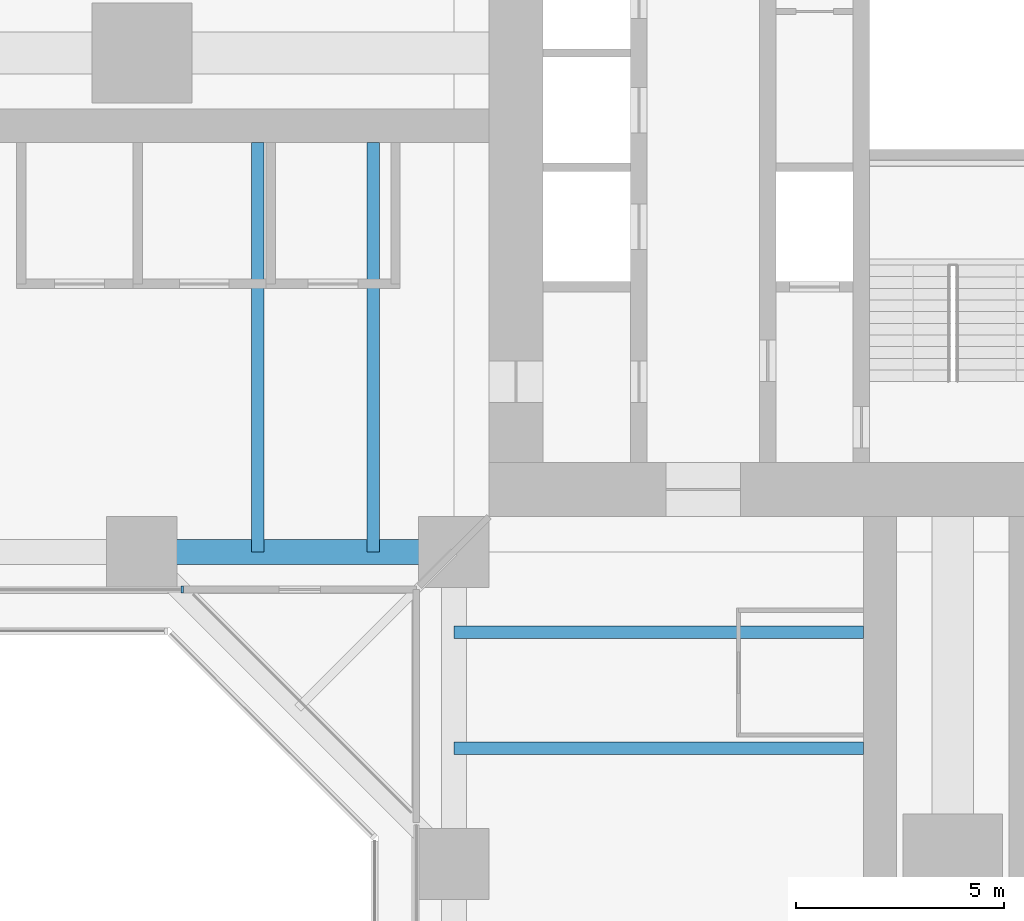
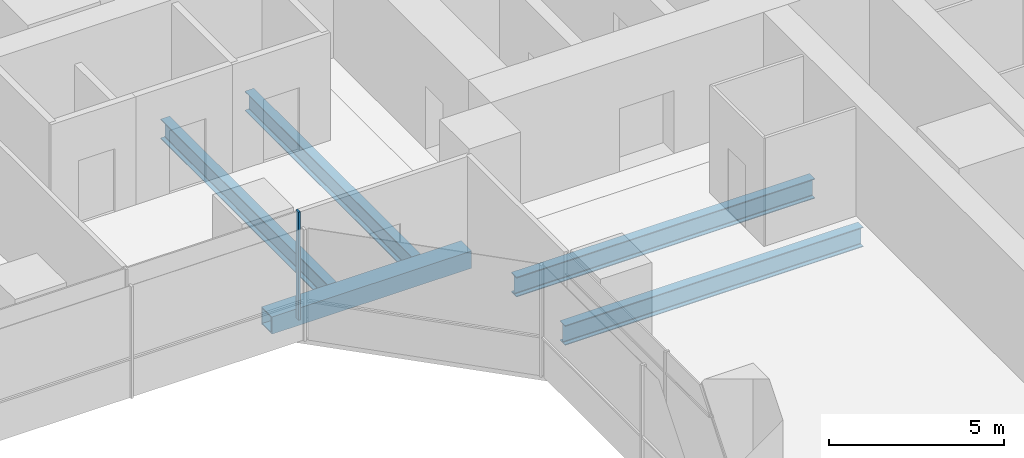
# One storey, part 4 of 22: 5 beams, 1 member, 1 element without a shape of its own.
"""IFC4 building model written with IfcOpenShell, lengths in metres."""

import ifcopenshell
import ifcopenshell.guid

model = None  # the IFC model being written
_history = None  # IfcOwnerHistory: only IFC2X3 demands one
_inside = {}  # id of a spatial element -> (the spatial element, [elements in it])
_under = {}  # id of a project, library or spatial element -> (it, [spatial elements below it])
_declared = {}  # id of a project -> (the project, [libraries it declares])
_typed = {}  # id of a type object -> (the type object, [elements of that type])
_made_of = {}  # id of a material, layer set ... -> (it, [elements and type objects made of it])


def new_model(schema):
    """Start an empty IFC model of exactly this schema.

    Asked for "IFC4X3", IfcOpenShell would pick the latest addendum, in which some entities
    have other attributes; the version numbers below select the first issue.
    IFC2X3 requires an IfcOwnerHistory on every rooted entity: one is made here for all.
    """
    global model, _history
    if schema == "IFC4X3":
        model = ifcopenshell.file(schema_version=(4, 3, 0, 0))
    else:
        model = ifcopenshell.file(schema=schema)
    _inside.clear()
    _under.clear()
    _declared.clear()
    _typed.clear()
    _made_of.clear()
    _history = None
    if model.schema == "IFC2X3":
        org = make("IfcOrganization", Name="unknown")
        user = make(
            "IfcPersonAndOrganization",
            ThePerson=make("IfcPerson", FamilyName="unknown"),
            TheOrganization=org,
        )
        app = make(
            "IfcApplication",
            ApplicationDeveloper=org,
            Version="unknown",
            ApplicationFullName="unknown",
            ApplicationIdentifier="unknown",
        )
        _history = make(
            "IfcOwnerHistory",
            OwningUser=user,
            OwningApplication=app,
            ChangeAction="ADDED",
            CreationDate=0,
        )
    return model


def make(cls, **values):
    """One entity of the class cls with the attributes given. An attribute that is None is left unset."""
    return model.create_entity(
        cls, **{name: value for name, value in values.items() if value is not None}
    )


def rooted(cls, **values):
    """An entity with a GlobalId (a new one), such as an element, a storey or a relation."""
    return make(cls, GlobalId=ifcopenshell.guid.new(), OwnerHistory=_history, **values)


def si_unit(unit_type, name, prefix=None):
    """IfcSIUnit, for example si_unit("LENGTHUNIT", "METRE", prefix="MILLI")."""
    return make("IfcSIUnit", UnitType=unit_type, Prefix=prefix, Name=name)


def assignment(units):
    """IfcUnitAssignment: the units of a project."""
    return None if units is None else make("IfcUnitAssignment", Units=units)


def point(xyz):
    """IfcCartesianPoint."""
    return None if xyz is None else make("IfcCartesianPoint", Coordinates=xyz)


def direction(xyz):
    """IfcDirection."""
    return None if xyz is None else make("IfcDirection", DirectionRatios=xyz)


def frame(location, z_axis=None, x_axis=None):
    """IfcAxis2Placement3D, a coordinate frame: its origin and axes. An axis left out is left unset."""
    return make(
        "IfcAxis2Placement3D",
        Location=point(location),
        Axis=direction(z_axis),
        RefDirection=direction(x_axis),
    )


def frame_2d(location, x_axis=None):
    """IfcAxis2Placement2D, a coordinate frame in the plane: its origin and x axis."""
    return make(
        "IfcAxis2Placement2D", Location=point(location), RefDirection=direction(x_axis)
    )


def origin():
    """The frame at (0, 0, 0) with its axes left unset."""
    return frame((0.0, 0.0, 0.0))


def origin_2d():
    """The frame at (0, 0) in the plane with its x axis left unset."""
    return frame_2d((0.0, 0.0))


def place(relative_to, where):
    """IfcLocalPlacement: puts the frame where relative to a parent placement (None: the world)."""
    return make(
        "IfcLocalPlacement", PlacementRelTo=relative_to, RelativePlacement=where
    )


def context(
    kind, dimensions, precision=None, world=None, true_north=None, identifier=None
):
    """IfcGeometricRepresentationContext, for example the 3D "Model" context."""
    return make(
        "IfcGeometricRepresentationContext",
        ContextIdentifier=identifier,
        ContextType=kind,
        CoordinateSpaceDimension=dimensions,
        Precision=precision,
        WorldCoordinateSystem=world,
        TrueNorth=true_north,
    )


def subcontext(parent, identifier, kind, view, scale=None):
    """IfcGeometricRepresentationSubContext, for example "Body" below "Model"."""
    return make(
        "IfcGeometricRepresentationSubContext",
        ContextIdentifier=identifier,
        ContextType=kind,
        ParentContext=parent,
        TargetScale=scale,
        TargetView=view,
    )


def project(units=None, contexts=None):
    """IfcProject with its units and contexts."""
    return rooted(
        "IfcProject",
        Name="project",
        RepresentationContexts=contexts,
        UnitsInContext=assignment(units),
    )


def spatial(cls, under=None, at=None, **own):
    """A site, building, storey or space (cls), placed at a placement, below another one or the project."""
    s = rooted(cls, ObjectPlacement=at, **own)
    if under is not None:
        _under.setdefault(under.id(), (under, []))[1].append(s)
    return s


def profile(cls, at=None, kind="AREA", **sizes):
    """A parametric profile (cls). Its sizes go by their IFC names, for example OverallWidth=200.0."""
    return make(cls, ProfileType=kind, Position=at, **sizes)


def rectangle(**sizes):
    """IfcRectangleProfileDef."""
    return profile("IfcRectangleProfileDef", **sizes)


def hollow_rectangle(**sizes):
    """IfcRectangleHollowProfileDef."""
    return profile("IfcRectangleHollowProfileDef", **sizes)


def i_section(**sizes):
    """IfcIShapeProfileDef."""
    return profile("IfcIShapeProfileDef", **sizes)


def extrude(swept, where, along, depth):
    """IfcExtrudedAreaSolid: the profile swept, set in the frame where, extruded along a direction by depth."""
    return make(
        "IfcExtrudedAreaSolid",
        SweptArea=swept,
        Position=where,
        ExtrudedDirection=direction(along),
        Depth=depth,
    )


def shape(context_of_items, identifier, shape_type, items):
    """IfcShapeRepresentation: the items that make up one representation, for example the "Body"."""
    return make(
        "IfcShapeRepresentation",
        ContextOfItems=context_of_items,
        RepresentationIdentifier=identifier,
        RepresentationType=shape_type,
        Items=items,
    )


def material(Name=None, Category=None):
    """IfcMaterial."""
    return make("IfcMaterial", Name=Name, Category=Category)


def material_profile(
    of_material, cross_section, Name=None, Category=None, Priority=None
):
    """IfcMaterialProfile: a cross section and its material."""
    return make(
        "IfcMaterialProfile",
        Name=Name,
        Material=of_material,
        Profile=cross_section,
        Priority=Priority,
        Category=Category,
    )


def profile_set(profiles, Name=None, composite=None):
    """IfcMaterialProfileSet."""
    return make(
        "IfcMaterialProfileSet",
        Name=Name,
        MaterialProfiles=profiles,
        CompositeProfile=composite,
    )


def made_of(thing, what):
    """Note that an element or type object is made of a material, layer set ...; save() writes the relation."""
    if what is not None:
        _made_of.setdefault(what.id(), (what, []))[1].append(thing)
    return thing


def type_object(cls, material=None, **own):
    """A type object (cls), such as IfcWallType, which elements share."""
    return made_of(rooted(cls, **own), material)


def element(
    cls,
    number,
    at=None,
    inside=None,
    cuts=None,
    type_object=None,
    material=None,
    context=None,
    identifier="Body",
    shape_type=None,
    held_by="IfcProductDefinitionShape",
    body=None,
    shapes=None,
    **own,
):
    """One element of the class cls, such as IfcWall. Its Tag is "e" and its number.

    at: its placement. inside: the storey or other place that contains it. cuts: it is an
    opening in that element (IfcRelVoidsElement). A single representation is given by context,
    identifier, shape_type and body (its items); several are given by shapes. held_by: the class
    of the entity that holds the representations. save() writes the other relations.
    """
    e = rooted(cls, Tag="e%d" % number, ObjectPlacement=at, **own)
    if body is not None:
        shapes = [shape(context, identifier, shape_type, body)]
    if shapes is not None:
        e.Representation = make(held_by, Representations=shapes)
    if inside is not None:
        _inside.setdefault(inside.id(), (inside, []))[1].append(e)
    if cuts is not None:
        rooted(
            "IfcRelVoidsElement", RelatingBuildingElement=cuts, RelatedOpeningElement=e
        )
    if type_object is not None:
        _typed.setdefault(type_object.id(), (type_object, []))[1].append(e)
    return made_of(e, material)


def aggregate(whole, parts):
    """IfcRelAggregates: a whole, such as a stair, and the parts it consists of."""
    return rooted("IfcRelAggregates", RelatingObject=whole, RelatedObjects=parts)


def save(model, path):
    """Write the relations noted so far, then the file.

    IfcRelAggregates (storeys below a building ...), IfcRelContainedInSpatialStructure (elements
    in a storey), IfcRelDefinesByType, IfcRelAssociatesMaterial and IfcRelDeclares: one each for
    every whole, place, type object, material and project.
    """
    for whole, parts in _under.values():
        aggregate(whole, parts)
    for where, things in _inside.values():
        rooted(
            "IfcRelContainedInSpatialStructure",
            RelatedElements=things,
            RelatingStructure=where,
        )
    for kind, things in _typed.values():
        rooted("IfcRelDefinesByType", RelatedObjects=things, RelatingType=kind)
    for what, things in _made_of.values():
        rooted("IfcRelAssociatesMaterial", RelatedObjects=things, RelatingMaterial=what)
    for by, libraries in _declared.values():
        rooted("IfcRelDeclares", RelatingContext=by, RelatedDefinitions=libraries)
    model.write(path)


model = new_model("IFC4")

# Units and contexts
model_context = context("Model", 3, precision=1e-05, world=origin(), true_north=direction((0.0, 1.0)))
body_context = subcontext(model_context, "Body", "Model", "MODEL_VIEW")
ifc_project = project(units=[si_unit("LENGTHUNIT", "METRE"), si_unit("AREAUNIT", "SQUARE_METRE"), si_unit("VOLUMEUNIT", "CUBIC_METRE"), si_unit("PLANEANGLEUNIT", "RADIAN"), si_unit("MASSUNIT", "GRAM", prefix="KILO")], contexts=[model_context])

# Site, building, storey
site_placement = place(None, origin())
site = spatial("IfcSite", under=ifc_project, at=site_placement, CompositionType="ELEMENT")
building_placement = place(site_placement, origin())
building = spatial("IfcBuilding", under=site, at=building_placement, Name="Mizan Broadcast Tower", CompositionType="ELEMENT")
storey_placement = place(building_placement, frame((0.0, 0.0, 43.5)))
storey = spatial("IfcBuildingStorey", under=building, at=storey_placement, Name="L07", CompositionType="ELEMENT", Elevation=43.5)

# Beam
ifc_material_1 = material(Name="Steel S355", Category="steel")
ifc_material_profile_1 = material_profile(ifc_material_1, hollow_rectangle(XDim=0.60009765625, YDim=0.60009765625, WallThickness=0.0400390625, at=origin_2d()), Name="BOX 600x600x40")
ifc_profile_set_1 = profile_set([ifc_material_profile_1], Name="Steel S355")
beam_type_1 = type_object("IfcBeamType", Name="EDGE BEAM BOX 600x600x40", PredefinedType="SPANDREL", material=ifc_profile_set_1)
beam_placement = place(storey_placement, frame((-12.449951171875, -12.0, -0.429931640625), z_axis=(-1.0, 0.0, 0.0), x_axis=(0.0, -1.0, 0.0)))
element("IfcBeam", 1, at=beam_placement, inside=storey, type_object=beam_type_1, Name="Edge beam BOX 600x600x40 L07 west arm", PredefinedType="SPANDREL", context=body_context, shape_type="SweptSolid", body=[
    extrude(hollow_rectangle(XDim=0.60009765625, YDim=0.60009765625, WallThickness=0.0400390625, at=origin_2d()), origin(), (0.0, 0.0, 1.0), 6.60009765625),
])

# Curtain wall, member
ifc_material_2 = material(Name="Aluminium framed glazing", Category="aluminium")
curtain_wall_type = type_object("IfcCurtainWallType", Name="INNER SKIN LOW ZONE", PredefinedType="USERDEFINED", material=ifc_material_2)
curtain_wall_placement = place(storey_placement, origin())
curtain_wall = element("IfcCurtainWall", 2, at=curtain_wall_placement, inside=storey, type_object=curtain_wall_type, Name="Inner skin low zone L07 W side", ObjectType="INNER SKIN LOW ZONE", PredefinedType="USERDEFINED")
ifc_material_3 = material(Name="Aluminium, pale anodised", Category="aluminium")
ifc_material_profile_2 = material_profile(ifc_material_3, rectangle(XDim=0.159912109375, YDim=0.06005859375, at=origin_2d()), Name="MULLION 160x60")
ifc_profile_set_2 = profile_set([ifc_material_profile_2], Name="Aluminium, pale anodised")
member_type = type_object("IfcMemberType", Name="INNER SKIN MULLION 60x160", PredefinedType="MULLION", material=ifc_profile_set_2)
member_placement = place(storey_placement, frame((-18.530029296875, -12.89990234375, 0.0), z_axis=(0.0, 0.0, 1.0), x_axis=(0.0, 1.0, 0.0)))
member = element("IfcMember", 3, at=member_placement, type_object=member_type, Name="Inner skin low zone L07 W side mullion 3", PredefinedType="MULLION", context=body_context, shape_type="SweptSolid", body=[
    extrude(rectangle(XDim=0.159912109375, YDim=0.06005859375, at=origin_2d()), origin(), (0.0, 0.0, 1.0), 3.77001953125),
])
aggregate(curtain_wall, [member])

# Beams
ifc_material_4 = material(Name="Steel S355", Category="steel")
ifc_material_profile_3 = material_profile(ifc_material_4, i_section(OverallWidth=0.300048828125, OverallDepth=0.68994140625, WebThickness=0.014404296875, FlangeThickness=0.027099609375, FilletRadius=0.027099609375, at=origin_2d()), Name="HEA 700")
ifc_profile_set_3 = profile_set([ifc_material_profile_3], Name="Steel S355")
beam_type_2 = type_object("IfcBeamType", Name="SECONDARY BEAM HEA 700", PredefinedType="JOIST", material=ifc_profile_set_3)
for number, where, z_axis, x_axis, name in (
    (4, (-13.933349609375, -12.0, -0.47509765625), (0.0, 1.0, 0.0), (-1.0, 0.0, 0.0), "Secondary beam HEA 700 L07 west arm"),
    (5, (-16.716552734375, -12.0, -0.47509765625), (0.0, 1.0, 0.0), (-1.0, 0.0, 0.0), "Secondary beam HEA 700 L07 west arm"),
    (6, (-12.0, -13.933349609375, -0.47509765625), (1.0, 0.0, 0.0), (0.0, 1.0, 0.0), "Secondary beam HEA 700 L07 south arm"),
    (7, (-12.0, -16.716552734375, -0.47509765625), (1.0, 0.0, 0.0), (0.0, 1.0, 0.0), "Secondary beam HEA 700 L07 south arm"),
):
    element("IfcBeam", number, at=place(storey_placement, frame(where, z_axis=z_axis, x_axis=x_axis)), inside=storey, type_object=beam_type_2, Name=name, PredefinedType="JOIST", context=body_context, shape_type="SweptSolid", body=[
        extrude(i_section(OverallWidth=0.300048828125, OverallDepth=0.68994140625, WebThickness=0.014404296875, FlangeThickness=0.027099609375, FilletRadius=0.027099609375, at=origin_2d()), origin(), (0.0, 0.0, 1.0), 9.85009765625),
    ])

save(model, "model.ifc")
